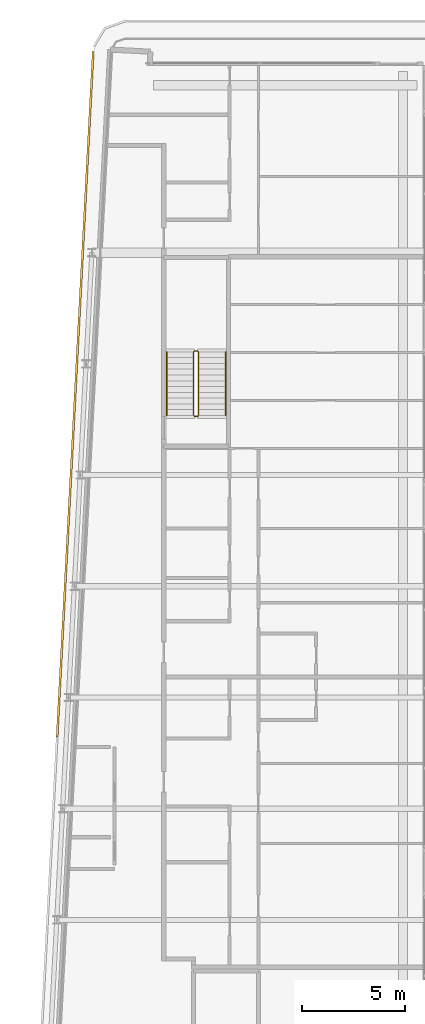
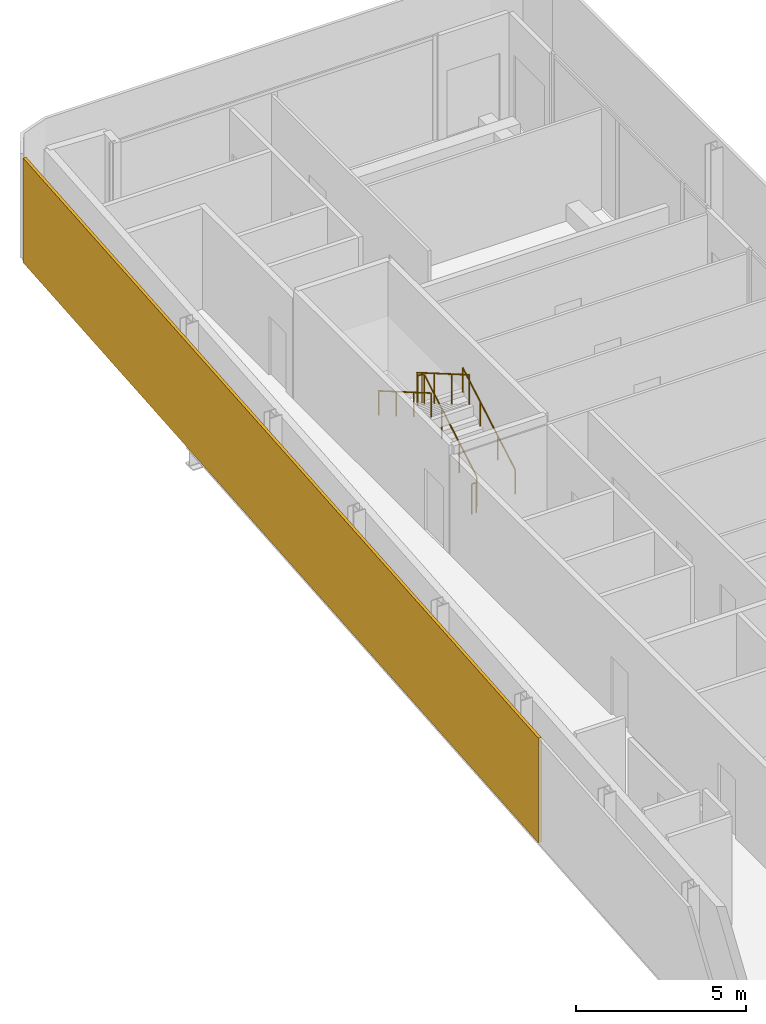
# One storey, part 19 of 21: 4 railings, 1 shading device.
"""IFC4 building model written with IfcOpenShell, lengths in metres."""

from ifc_helpers import new_model, si_unit, direction, frame, origin, origin_2d, place, context, subcontext, project, spatial, rectangle, circle, extrude, material, layer, layer_set, type_object, element, save


model = new_model("IFC4")

# Units and contexts
model_context = context("Model", 3, precision=1e-05, world=origin(), true_north=direction((0.0, 1.0)))
body_context = subcontext(model_context, "Body", "Model", "MODEL_VIEW")
ifc_project = project(units=[si_unit("LENGTHUNIT", "METRE"), si_unit("AREAUNIT", "SQUARE_METRE"), si_unit("VOLUMEUNIT", "CUBIC_METRE"), si_unit("PLANEANGLEUNIT", "RADIAN"), si_unit("MASSUNIT", "GRAM", prefix="KILO")], contexts=[model_context])

# Site, building, storey
site_placement = place(None, origin())
site = spatial("IfcSite", under=ifc_project, at=site_placement, CompositionType="ELEMENT")
building_placement = place(site_placement, origin())
building = spatial("IfcBuilding", under=site, at=building_placement, Name="Kheshtan School and Residences Tower", CompositionType="ELEMENT")
storey_placement = place(building_placement, frame((0.0, 0.0, 282.5)))
storey = spatial("IfcBuildingStorey", under=building, at=storey_placement, Name="L66", CompositionType="ELEMENT", Elevation=282.5)

# Shading device
ifc_material_1 = material(Name="Terracotta baguette, extruded ceramic", Category="masonry")
ifc_layer = layer(ifc_material_1, 0.10009765625)
ifc_layer_set = layer_set([ifc_layer], Name="Ledge screen, terracotta baguettes")
shading_device_type = type_object("IfcShadingDeviceType", Name="Ledge screen, terracotta baguettes", PredefinedType="USERDEFINED", material=ifc_layer_set)
shading_device_placement = place(storey_placement, frame((28.9990234375, 81.93408203125, 0.0), z_axis=(0.0, 0.0, 1.0), x_axis=(0.052562536748, 0.998617634398, 0.0)))
element("IfcShadingDevice", 1, at=shading_device_placement, inside=storey, type_object=shading_device_type, Name="Screen L66 5", ObjectType="BAGUETTE", PredefinedType="USERDEFINED", context=body_context, shape_type="SweptSolid", body=[
    extrude(rectangle(XDim=33.341064453125, YDim=0.10009765625, at=origin_2d()), origin(), (0.0, 0.0, 1.0), 3.75),
])

# Railings
ifc_material_2 = material(Name="Stainless steel balustrade", Category="steel")
railing_type_1 = type_object("IfcRailingType", Name="Stair guard 1100", PredefinedType="GUARDRAIL", material=ifc_material_2)
railing_1_placement = place(storey_placement, frame((35.0, 80.89990234375, 0.16259765625)))
element("IfcRailing", 2, at=railing_1_placement, inside=storey, type_object=railing_type_1, Name="L66 ST3 stair guard 1", PredefinedType="GUARDRAIL", context=body_context, shape_type="SweptSolid", body=[
    extrude(circle(Radius=0.02392578125, at=origin_2d()), frame((0.0, 0.0, 1.076171875), z_axis=(0.0, 0.864920483161, 0.501908913857), x_axis=(-1.0, 0.0, 0.0)), (0.0, 0.0, 1.0), 3.56103515625),
    extrude(circle(Radius=0.02392578125, at=origin_2d()), frame((0.0, 3.080078125, 2.86328125), z_axis=(-0.707106781187, 0.707106781187, 0.0), x_axis=(-0.707106781187, -0.707106781187, 0.0)), (0.0, 0.0, 1.0), 0.07080078125),
    extrude(circle(Radius=0.02392578125, at=origin_2d()), frame((-0.050048828125, 3.130126953125, 2.86328125), z_axis=(-1.0, 0.0, 0.0), x_axis=(0.0, -1.0, 0.0)), (0.0, 0.0, 1.0), 0.14990234375),
    extrude(circle(Radius=0.02392578125, at=origin_2d()), frame((-0.199951171875, 3.130126953125, 2.86328125), z_axis=(-0.282227285176, -0.282227285176, 0.916894497205), x_axis=(0.707106781187, -0.707106781187, 0.0)), (0.0, 0.0, 1.0), 0.17724609375),
    extrude(circle(Radius=0.02392578125, at=origin_2d()), frame((-0.25, 3.080078125, 3.02587890625), z_axis=(0.0, -0.864920483161, 0.501908913857), x_axis=(1.0, 0.0, 0.0)), (0.0, 0.0, 1.0), 3.56103515625),
    extrude(circle(Radius=0.02099609375, at=origin_2d()), origin(), (0.0, 0.0, 1.0), 1.052001953125),
    extrude(circle(Radius=0.02099609375, at=origin_2d()), frame((0.0, 1.026611328125, 0.595703125)), (0.0, 0.0, 1.0), 1.052001953125),
    extrude(circle(Radius=0.02099609375, at=origin_2d()), frame((0.0, 2.053466796875, 1.191650390625)), (0.0, 0.0, 1.0), 1.052001953125),
    extrude(circle(Radius=0.02099609375, at=origin_2d()), frame((0.0, 3.080078125, 1.787353515625)), (0.0, 0.0, 1.0), 1.052001953125),
    extrude(circle(Radius=0.02099609375, at=origin_2d()), frame((-0.050048828125, 3.130126953125, 1.787353515625)), (0.0, 0.0, 1.0), 1.052001953125),
    extrude(circle(Radius=0.02099609375, at=origin_2d()), frame((-0.199951171875, 3.130126953125, 1.787353515625)), (0.0, 0.0, 1.0), 1.052001953125),
    extrude(circle(Radius=0.02099609375, at=origin_2d()), frame((-0.25, 3.080078125, 1.949951171875)), (0.0, 0.0, 1.0), 1.052001953125),
    extrude(circle(Radius=0.02099609375, at=origin_2d()), frame((-0.25, 2.053466796875, 2.545654296875)), (0.0, 0.0, 1.0), 1.052001953125),
    extrude(circle(Radius=0.02099609375, at=origin_2d()), frame((-0.25, 1.026611328125, 3.1416015625)), (0.0, 0.0, 1.0), 1.052001953125),
    extrude(circle(Radius=0.02099609375, at=origin_2d()), frame((-0.25, 0.0, 3.7373046875)), (0.0, 0.0, 1.0), 1.052001953125),
])
railing_2_placement = place(storey_placement, frame((34.949951171875, 80.85009765625, 0.0)))
element("IfcRailing", 3, at=railing_2_placement, inside=storey, type_object=railing_type_1, Name="L66 ST3 stair guard 2", PredefinedType="GUARDRAIL", context=body_context, shape_type="SweptSolid", body=[
    extrude(circle(Radius=0.02392578125, at=origin_2d()), frame((0.0, 0.0, 1.076171875), z_axis=(-1.0, 0.0, 0.0), x_axis=(0.0, -1.0, 0.0)), (0.0, 0.0, 1.0), 0.14990234375),
    extrude(circle(Radius=0.02099609375, at=origin_2d()), origin(), (0.0, 0.0, 1.0), 1.052001953125),
    extrude(circle(Radius=0.02099609375, at=origin_2d()), frame((-0.14990234375, 0.0, 0.0)), (0.0, 0.0, 1.0), 1.052001953125),
])
ifc_material_3 = material(Name="Stainless steel handrail", Category="steel")
railing_type_2 = type_object("IfcRailingType", Name="Stair handrail 900", PredefinedType="HANDRAIL", material=ifc_material_3)
railing_3_placement = place(storey_placement, frame((36.300048828125, 80.89990234375, 0.16259765625)))
element("IfcRailing", 4, at=railing_3_placement, inside=storey, type_object=railing_type_2, Name="L66 ST3 stair handrail 1", PredefinedType="HANDRAIL", context=body_context, shape_type="SweptSolid", body=[
    extrude(circle(Radius=0.02392578125, at=origin_2d()), frame((0.0, 0.0, 0.8759765625), z_axis=(0.0, 0.864920483161, 0.501908913857), x_axis=(-1.0, 0.0, 0.0)), (0.0, 0.0, 1.0), 3.56103515625),
    extrude(circle(Radius=0.02099609375, at=origin_2d()), origin(), (0.0, 0.0, 1.0), 0.851806640625),
    extrude(circle(Radius=0.02099609375, at=origin_2d()), frame((0.0, 1.026611328125, 0.595703125)), (0.0, 0.0, 1.0), 0.851806640625),
    extrude(circle(Radius=0.02099609375, at=origin_2d()), frame((0.0, 2.053466796875, 1.191650390625)), (0.0, 0.0, 1.0), 0.851806640625),
    extrude(circle(Radius=0.02099609375, at=origin_2d()), frame((0.0, 3.080078125, 1.787353515625)), (0.0, 0.0, 1.0), 0.851806640625),
])
railing_4_placement = place(storey_placement, frame((33.449951171875, 83.97998046875, 2.112548828125)))
element("IfcRailing", 5, at=railing_4_placement, inside=storey, type_object=railing_type_2, Name="L66 ST3 stair handrail 2", PredefinedType="HANDRAIL", context=body_context, shape_type="SweptSolid", body=[
    extrude(circle(Radius=0.02392578125, at=origin_2d()), frame((0.0, 0.0, 0.8759765625), z_axis=(0.0, -0.864920483161, 0.501908913857), x_axis=(1.0, 0.0, 0.0)), (0.0, 0.0, 1.0), 3.56103515625),
    extrude(circle(Radius=0.02099609375, at=origin_2d()), origin(), (0.0, 0.0, 1.0), 0.851806640625),
    extrude(circle(Radius=0.02099609375, at=origin_2d()), frame((0.0, -1.026611328125, 0.595703125)), (0.0, 0.0, 1.0), 0.851806640625),
    extrude(circle(Radius=0.02099609375, at=origin_2d()), frame((0.0, -2.053466796875, 1.191650390625)), (0.0, 0.0, 1.0), 0.851806640625),
    extrude(circle(Radius=0.02099609375, at=origin_2d()), frame((0.0, -3.080078125, 1.787353515625)), (0.0, 0.0, 1.0), 0.851806640625),
])

save(model, "model.ifc")
